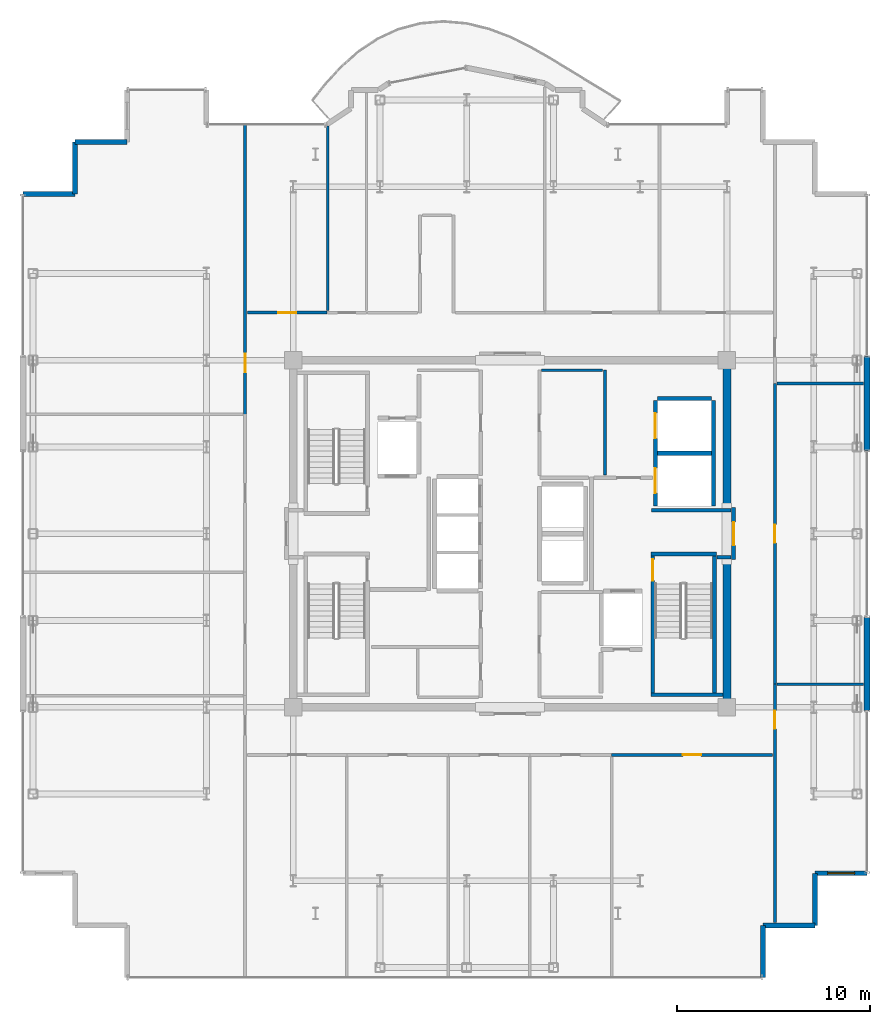
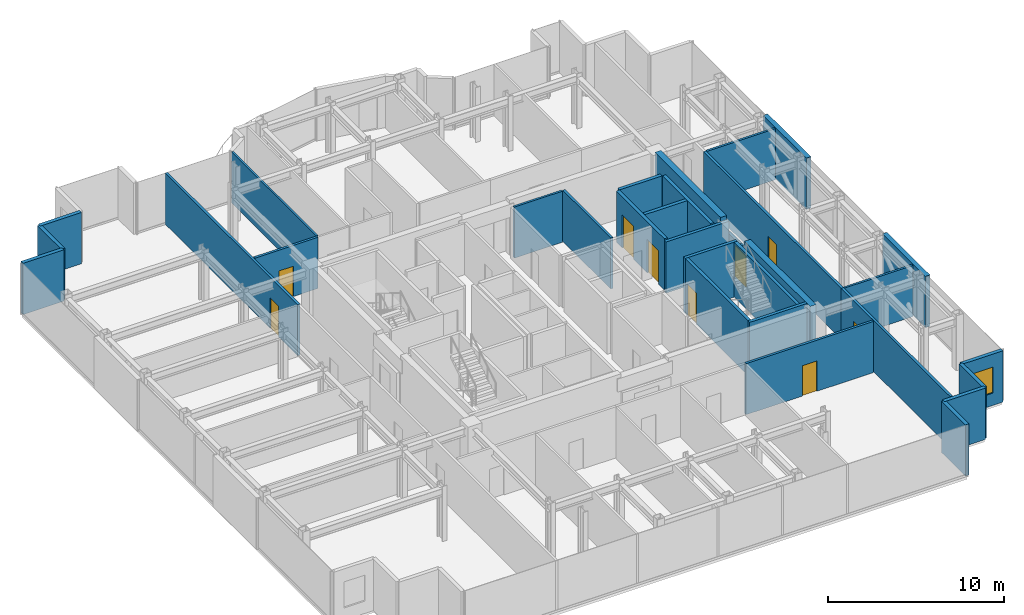
# One storey, part 13 of 16: 32 walls, 9 doors, 1 window, 10 openings.
"""IFC4 building model written with IfcOpenShell, lengths in metres."""

from ifc_helpers import new_model, si_unit, direction, frame, frame_2d, origin, place, context, subcontext, project, spatial, rectangle, extrude, source, transform, mapped, material, layer, layer_set, type_object, element, fill, save


model = new_model("IFC4")

# Units and contexts
model_context = context("Model", 3, precision=1e-05, world=origin(), true_north=direction((0.0, 1.0)))
body_context = subcontext(model_context, "Body", "Model", "MODEL_VIEW")
ifc_project = project(units=[si_unit("LENGTHUNIT", "METRE"), si_unit("AREAUNIT", "SQUARE_METRE"), si_unit("VOLUMEUNIT", "CUBIC_METRE"), si_unit("PLANEANGLEUNIT", "RADIAN"), si_unit("MASSUNIT", "GRAM", prefix="KILO")], contexts=[model_context])

# Site, building, storey
site_placement = place(None, origin())
site = spatial("IfcSite", under=ifc_project, at=site_placement, CompositionType="ELEMENT")
building_placement = place(site_placement, origin())
building = spatial("IfcBuilding", under=site, at=building_placement, Name="Nefas-Gora Pilgrimage Tower", CompositionType="ELEMENT")
storey_placement = place(building_placement, frame((0.0, 0.0, 322.39990234375)))
storey = spatial("IfcBuildingStorey", under=building, at=storey_placement, Name="L81", CompositionType="ELEMENT", Elevation=322.39990234375)

# Walls
ifc_material_1 = material(Name="Concrete C50/60", Category="concrete")
ifc_layer_1 = layer(ifc_material_1, 0.39990234375)
ifc_layer_set_1 = layer_set([ifc_layer_1], Name="Concrete C50/60")
wall_type_1 = type_object("IfcWallType", Name="SW-CORE-400", PredefinedType="SHEAR", material=ifc_layer_set_1)
shared_shape_1 = source(origin(), body_context, "Body", "SweptSolid", [
    extrude(rectangle(XDim=7.449951171875, YDim=0.39990234375, at=frame_2d((3.72509765625, 0.0))), origin(), (0.0, 0.0, 1.0), 3.800048828125),
])
for number, where, z_axis, x_axis, name in (
    (1, (11.25, -8.800048828125, 0.0), (0.0, 0.0, 1.0), (0.0, 1.0, 0.0), "L81 Core Shear Wall E-South"),
    (2, (11.25, 1.35009765625, 0.0), (0.0, 0.0, 1.0), (0.0, 1.0, 0.0), "L81 Core Shear Wall E-North"),
):
    element("IfcWall", number, at=place(storey_placement, frame(where, z_axis=z_axis, x_axis=x_axis)), inside=storey, type_object=wall_type_1, Name=name, PredefinedType="SHEAR", context=body_context, shape_type="MappedRepresentation", body=[
        mapped(shared_shape_1, transform((0.0, 0.0, 0.0), x_axis=(1.0, 0.0, 0.0), y_axis=(0.0, 1.0, 0.0), z_axis=(0.0, 0.0, 1.0), scale=1.0)),
    ])
ifc_material_2 = material(Name="Precast concrete C45/55", Category="concrete")
ifc_layer_2 = layer(ifc_material_2, 0.239990234375)
ifc_layer_set_2 = layer_set([ifc_layer_2], Name="Precast concrete C45/55")
wall_type_2 = type_object("IfcWallType", Name="EW-SERR-240", PredefinedType="SHEAR", material=ifc_layer_set_2)
shared_shape_2 = source(origin(), body_context, "Body", "SweptSolid", [
    extrude(rectangle(XDim=4.8798828125, YDim=0.300048828125, at=frame_2d((2.43994140625, 0.0))), origin(), (0.0, 0.0, 1.0), 3.550048828125),
])
for number, where, z_axis, x_axis, name in (
    (3, (18.52001953125, -9.18994140625, 0.0), (0.0, 0.0, 1.0), (0.0, 1.0, 0.0), "L81 Braced-Tube Precast Shear Cladding 3"),
    (4, (18.52001953125, 4.31005859375, 0.0), (0.0, 0.0, 1.0), (0.0, 1.0, 0.0), "L81 Braced-Tube Precast Shear Cladding 4"),
):
    element("IfcWall", number, at=place(storey_placement, frame(where, z_axis=z_axis, x_axis=x_axis)), inside=storey, type_object=wall_type_2, Name=name, PredefinedType="SHEAR", context=body_context, shape_type="MappedRepresentation", body=[
        mapped(shared_shape_2, transform((0.0, 0.0, 0.0), x_axis=(1.0, 0.0, 0.0), y_axis=(0.0, 1.0, 0.0), z_axis=(0.0, 0.0, 1.0), scale=1.0)),
    ])

# Wall, opening, window
shared_shape_3 = source(origin(), body_context, "Body", "SweptSolid", [
    extrude(rectangle(XDim=2.699951171875, YDim=0.239990234375, at=frame_2d((1.35009765625, 0.0))), origin(), (0.0, 0.0, 1.0), 3.550048828125),
])
wall_1_placement = place(storey_placement, frame((15.820068359375, -17.6201171875, 0.0), z_axis=(0.0, 0.0, 1.0), x_axis=(1.0, 0.0, 0.0)))
wall_1 = element("IfcWall", 5, at=wall_1_placement, inside=storey, type_object=wall_type_2, Name="L81 Serrated Corner Shear Pier Wall 5", PredefinedType="SHEAR", context=body_context, shape_type="MappedRepresentation", body=[
    mapped(shared_shape_3, transform((0.0, 0.0, 0.0), x_axis=(1.0, 0.0, 0.0), y_axis=(0.0, 1.0, 0.0), z_axis=(0.0, 0.0, 1.0), scale=1.0)),
])
opening_1_placement = place(wall_1_placement, frame((0.64990234375, 0.0, 0.85009765625)))
opening_1 = element("IfcOpeningElement", 6, at=opening_1_placement, cuts=wall_1, Name="Opening W-V2", PredefinedType="OPENING", context=body_context, shape_type="SweptSolid", body=[
    extrude(rectangle(XDim=1.39990234375, YDim=1.800048828125, at=frame_2d((0.699951171875, 0.89990234375))), frame((0.0, 0.1298828125, 0.0), z_axis=(0.0, -1.0, 0.0), x_axis=(1.0, 0.0, 0.0)), (0.0, 0.0, 1.0), 0.260009765625),
])
ifc_material_3 = material(Name="Dark ceramic-fritted operable aluminium-glass window", Category="aluminium")
window_type = type_object("IfcWindowType", Name="WIN-VENT-1400x1800", PartitioningType="SINGLE_PANEL", PredefinedType="WINDOW", material=ifc_material_3)
shared_shape_4 = source(origin(), body_context, "Body", "SweptSolid", [
    extrude(rectangle(XDim=1.39990234375, YDim=1.800048828125, at=frame_2d((0.699951171875, 0.89990234375))), frame((0.0, 0.030029296875, 0.0), z_axis=(0.0, -1.0, 0.0), x_axis=(1.0, 0.0, 0.0)), (0.0, 0.0, 1.0), 0.06005859375),
])
window_placement = place(opening_1_placement, origin())
window = element("IfcWindow", 7, at=window_placement, inside=storey, type_object=window_type, Name="L81 Operable Parallel-Outswing Window 5", OverallHeight=1.800048828125, OverallWidth=1.39990234375, PartitioningType="SINGLE_PANEL", PredefinedType="WINDOW", context=body_context, shape_type="MappedRepresentation", body=[
    mapped(shared_shape_4, transform((0.0, 0.0, 0.0), x_axis=(1.0, 0.0, 0.0), y_axis=(0.0, 1.0, 0.0), z_axis=(0.0, 0.0, 1.0), scale=1.0)),
])
fill(opening_1, window)

# Walls
for number, where, z_axis, x_axis, name in (
    (8, (-19.8701171875, 20.320068359375, 0.0), (0.0, 0.0, 1.0), (-1.0, 0.0, 0.0), "L81 Serrated Corner Shear Pier Wall 22"),
    (9, (-22.570068359375, 20.320068359375, 0.0), (0.0, 0.0, 1.0), (0.0, -1.0, 0.0), "L81 Serrated Corner Shear Pier Wall 23"),
    (10, (-22.570068359375, 17.6201171875, 0.0), (0.0, 0.0, 1.0), (-1.0, 0.0, 0.0), "L81 Serrated Corner Shear Pier Wall 24"),
    (11, (13.1201171875, -23.02001953125, 0.0), (0.0, 0.0, 1.0), (0.0, 1.0, 0.0), "L81 Serrated Corner Shear Pier Wall 29"),
    (12, (13.1201171875, -20.320068359375, 0.0), (0.0, 0.0, 1.0), (1.0, 0.0, 0.0), "L81 Serrated Corner Shear Pier Wall 30"),
    (13, (15.820068359375, -20.320068359375, 0.0), (0.0, 0.0, 1.0), (0.0, 1.0, 0.0), "L81 Serrated Corner Shear Pier Wall 31"),
):
    element("IfcWall", number, at=place(storey_placement, frame(where, z_axis=z_axis, x_axis=x_axis)), inside=storey, type_object=wall_type_2, Name=name, PredefinedType="SHEAR", context=body_context, shape_type="MappedRepresentation", body=[
        mapped(shared_shape_3, transform((0.0, 0.0, 0.0), x_axis=(1.0, 0.0, 0.0), y_axis=(0.0, 1.0, 0.0), z_axis=(0.0, 0.0, 1.0), scale=1.0)),
    ])
ifc_material_4 = material(Name="Concrete C45/55", Category="concrete")
ifc_layer_3 = layer(ifc_material_4, 0.199951171875)
ifc_layer_set_3 = layer_set([ifc_layer_3], Name="Concrete C45/55")
wall_type_3 = type_object("IfcWallType", Name="IW-STAIR-200", PredefinedType="SOLIDWALL", material=ifc_layer_set_3)
shared_shape_5 = source(origin(), body_context, "Body", "SweptSolid", [
    extrude(rectangle(XDim=3.39990234375, YDim=0.199951171875, at=frame_2d((1.699951171875, 0.0))), origin(), (0.0, 0.0, 1.0), 3.800048828125),
])
wall_2_placement = place(storey_placement, frame((7.300048828125, -1.050048828125, 0.0), z_axis=(0.0, 0.0, 1.0), x_axis=(1.0, 0.0, 0.0)))
element("IfcWall", 14, at=wall_2_placement, inside=storey, type_object=wall_type_3, Name="L81 Stairwell Shear Wall ST-02-near", PredefinedType="SOLIDWALL", context=body_context, shape_type="MappedRepresentation", body=[
    mapped(shared_shape_5, transform((0.0, 0.0, 0.0), x_axis=(1.0, 0.0, 0.0), y_axis=(0.0, 1.0, 0.0), z_axis=(0.0, 0.0, 1.0), scale=1.0)),
])

# Wall, opening, door
shared_shape_6 = source(origin(), body_context, "Body", "SweptSolid", [
    extrude(rectangle(XDim=7.10009765625, YDim=0.199951171875, at=frame_2d((3.550048828125, 0.0))), origin(), (0.0, 0.0, 1.0), 3.800048828125),
])
wall_3_placement = place(storey_placement, frame((7.39990234375, -1.14990234375, 0.0), z_axis=(0.0, 0.0, 1.0), x_axis=(0.0, -1.0, 0.0)))
wall_3 = element("IfcWall", 15, at=wall_3_placement, inside=storey, type_object=wall_type_3, Name="L81 Stairwell Shear Wall ST-02-left", PredefinedType="SOLIDWALL", context=body_context, shape_type="MappedRepresentation", body=[
    mapped(shared_shape_6, transform((0.0, 0.0, 0.0), x_axis=(1.0, 0.0, 0.0), y_axis=(0.0, 1.0, 0.0), z_axis=(0.0, 0.0, 1.0), scale=1.0)),
])
opening_2_placement = place(wall_3_placement, frame((0.179931640625, 0.0, 0.0)))
opening_2 = element("IfcOpeningElement", 16, at=opening_2_placement, cuts=wall_3, Name="Opening ID-ST1", PredefinedType="OPENING", context=body_context, shape_type="SweptSolid", body=[
    extrude(rectangle(XDim=1.10009765625, YDim=2.14990234375, at=frame_2d((0.550048828125, 1.074951171875))), frame((0.0, 0.10986328125, 0.0), z_axis=(0.0, -1.0, 0.0), x_axis=(1.0, 0.0, 0.0)), (0.0, 0.0, 1.0), 0.219970703125),
])
ifc_material_5 = material(Name="Painted galvanised steel fire stair door", Category="steel")
door_type_1 = type_object("IfcDoorType", Name="DR-INT-STAIR-1100", OperationType="NOTDEFINED", PredefinedType="DOOR", material=ifc_material_5)
shared_shape_7 = source(origin(), body_context, "Body", "SweptSolid", [
    extrude(rectangle(XDim=1.10009765625, YDim=2.14990234375, at=frame_2d((0.550048828125, 1.074951171875))), frame((0.0, 0.02490234375, 0.0), z_axis=(0.0, -1.0, 0.0), x_axis=(1.0, 0.0, 0.0)), (0.0, 0.0, 1.0), 0.050048828125),
])
door_1_placement = place(opening_2_placement, origin())
door_1 = element("IfcDoor", 17, at=door_1_placement, inside=storey, type_object=door_type_1, Name="L81 Protected Exit Stair Door ST-02", OperationType="SINGLE_SWING_RIGHT", OverallHeight=2.14990234375, OverallWidth=1.10009765625, PredefinedType="DOOR", context=body_context, shape_type="MappedRepresentation", body=[
    mapped(shared_shape_7, transform((0.0, 0.0, 0.0), x_axis=(1.0, 0.0, 0.0), y_axis=(0.0, 1.0, 0.0), z_axis=(0.0, 0.0, 1.0), scale=1.0)),
])
fill(opening_2, door_1)

# Walls
wall_4_placement = place(storey_placement, frame((10.60009765625, -1.14990234375, 0.0), z_axis=(0.0, 0.0, 1.0), x_axis=(0.0, -1.0, 0.0)))
element("IfcWall", 18, at=wall_4_placement, inside=storey, type_object=wall_type_3, Name="L81 Stairwell Shear Wall ST-02-right", PredefinedType="SOLIDWALL", context=body_context, shape_type="MappedRepresentation", body=[
    mapped(shared_shape_6, transform((0.0, 0.0, 0.0), x_axis=(1.0, 0.0, 0.0), y_axis=(0.0, 1.0, 0.0), z_axis=(0.0, 0.0, 1.0), scale=1.0)),
])
shared_shape_8 = source(origin(), body_context, "Body", "SweptSolid", [
    extrude(rectangle(XDim=3.7548828125, YDim=0.199951171875, at=frame_2d((1.87744140625, 0.0))), origin(), (0.0, 0.0, 1.0), 3.800048828125),
])
wall_5_placement = place(storey_placement, frame((7.300048828125, -8.35009765625, 0.0), z_axis=(0.0, 0.0, 1.0), x_axis=(1.0, 0.0, 0.0)))
element("IfcWall", 19, at=wall_5_placement, inside=storey, type_object=wall_type_3, Name="L81 Stairwell Shear Wall ST-02-far", PredefinedType="SOLIDWALL", context=body_context, shape_type="MappedRepresentation", body=[
    mapped(shared_shape_8, transform((0.0, 0.0, 0.0), x_axis=(1.0, 0.0, 0.0), y_axis=(0.0, 1.0, 0.0), z_axis=(0.0, 0.0, 1.0), scale=1.0)),
])

# Wall, openings, doors
ifc_material_6 = material(Name="Concrete C40/50", Category="concrete")
ifc_layer_4 = layer(ifc_material_6, 0.219970703125)
ifc_layer_set_4 = layer_set([ifc_layer_4], Name="Concrete C40/50")
wall_type_4 = type_object("IfcWallType", Name="IW-SHAFT-220", PredefinedType="SOLIDWALL", material=ifc_layer_set_4)
shared_shape_9 = source(origin(), body_context, "Body", "SweptSolid", [
    extrude(rectangle(XDim=5.449951171875, YDim=0.219970703125, at=frame_2d((2.72509765625, 0.0))), origin(), (0.0, 0.0, 1.0), 3.53515625),
])
wall_6_placement = place(storey_placement, frame((7.5400390625, 6.89990234375, 0.0), z_axis=(0.0, 0.0, 1.0), x_axis=(0.0, -1.0, 0.0)))
wall_6 = element("IfcWall", 20, at=wall_6_placement, inside=storey, type_object=wall_type_4, Name="L81 Hoistway Wall SL-01-02-W", PredefinedType="SOLIDWALL", context=body_context, shape_type="MappedRepresentation", body=[
    mapped(shared_shape_9, transform((0.0, 0.0, 0.0), x_axis=(1.0, 0.0, 0.0), y_axis=(0.0, 1.0, 0.0), z_axis=(0.0, 0.0, 1.0), scale=1.0)),
])
opening_3_placement = place(wall_6_placement, frame((3.5, 0.0, 0.0)))
opening_3 = element("IfcOpeningElement", 21, at=opening_3_placement, cuts=wall_6, Name="Opening LD-SV", PredefinedType="OPENING", context=body_context, shape_type="SweptSolid", body=[
    extrude(rectangle(XDim=1.300048828125, YDim=2.300048828125, at=frame_2d((0.64990234375, 1.14990234375))), frame((0.0, 0.119873046875, 0.0), z_axis=(0.0, -1.0, 0.0), x_axis=(1.0, 0.0, 0.0)), (0.0, 0.0, 1.0), 0.239990234375),
])
opening_4_placement = place(wall_6_placement, frame((0.64990234375, 0.0, 0.0)))
opening_4 = element("IfcOpeningElement", 22, at=opening_4_placement, cuts=wall_6, Name="Opening LD-SV", PredefinedType="OPENING", context=body_context, shape_type="SweptSolid", body=[
    extrude(rectangle(XDim=1.300048828125, YDim=2.300048828125, at=frame_2d((0.64990234375, 1.14990234375))), frame((0.0, 0.119873046875, 0.0), z_axis=(0.0, -1.0, 0.0), x_axis=(1.0, 0.0, 0.0)), (0.0, 0.0, 1.0), 0.239990234375),
])
ifc_material_7 = material(Name="Heavy goods sliding lift landing door")
door_type_2 = type_object("IfcDoorType", Name="DR-LIFT-SERV-1300", OperationType="SLIDING_TO_RIGHT", PredefinedType="DOOR", material=ifc_material_7)
shared_shape_10 = source(origin(), body_context, "Body", "SweptSolid", [
    extrude(rectangle(XDim=1.300048828125, YDim=2.300048828125, at=frame_2d((0.64990234375, 1.14990234375))), frame((0.0, 0.02490234375, 0.0), z_axis=(0.0, -1.0, 0.0), x_axis=(1.0, 0.0, 0.0)), (0.0, 0.0, 1.0), 0.050048828125),
])
door_2_placement = place(opening_3_placement, origin())
door_2 = element("IfcDoor", 23, at=door_2_placement, inside=storey, type_object=door_type_2, Name="L81 Sliding Lift Landing Door SL-01", OperationType="SLIDING_TO_RIGHT", OverallHeight=2.300048828125, OverallWidth=1.300048828125, PredefinedType="DOOR", context=body_context, shape_type="MappedRepresentation", body=[
    mapped(shared_shape_10, transform((0.0, 0.0, 0.0), x_axis=(1.0, 0.0, 0.0), y_axis=(0.0, 1.0, 0.0), z_axis=(0.0, 0.0, 1.0), scale=1.0)),
])
fill(opening_3, door_2)
door_3_placement = place(opening_4_placement, origin())
door_3 = element("IfcDoor", 24, at=door_3_placement, inside=storey, type_object=door_type_2, Name="L81 Sliding Lift Landing Door SL-02", OperationType="SLIDING_TO_RIGHT", OverallHeight=2.300048828125, OverallWidth=1.300048828125, PredefinedType="DOOR", context=body_context, shape_type="MappedRepresentation", body=[
    mapped(shared_shape_10, transform((0.0, 0.0, 0.0), x_axis=(1.0, 0.0, 0.0), y_axis=(0.0, 1.0, 0.0), z_axis=(0.0, 0.0, 1.0), scale=1.0)),
])
fill(opening_4, door_3)

# Walls
wall_7_placement = place(storey_placement, frame((10.56005859375, 1.449951171875, 0.0), z_axis=(0.0, 0.0, 1.0), x_axis=(0.0, 1.0, 0.0)))
element("IfcWall", 25, at=wall_7_placement, inside=storey, type_object=wall_type_4, Name="L81 Hoistway Wall SL-01-02-E", PredefinedType="SOLIDWALL", context=body_context, shape_type="MappedRepresentation", body=[
    mapped(shared_shape_9, transform((0.0, 0.0, 0.0), x_axis=(1.0, 0.0, 0.0), y_axis=(0.0, 1.0, 0.0), z_axis=(0.0, 0.0, 1.0), scale=1.0)),
])
shared_shape_11 = source(origin(), body_context, "Body", "SweptSolid", [
    extrude(rectangle(XDim=2.780029296875, YDim=0.219970703125, at=frame_2d((1.39013671875, 0.0))), origin(), (0.0, 0.0, 1.0), 3.53515625),
])
for number, where, z_axis, x_axis, name in (
    (26, (7.659912109375, 4.175048828125, 0.0), (0.0, 0.0, 1.0), (1.0, 0.0, 0.0), "L81 Hoistway Wall SL-01-02-DIV"),
    (27, (10.43994140625, 7.010009765625, 0.0), (0.0, 0.0, 1.0), (-1.0, 0.0, 0.0), "L81 Hoistway Wall SL-02-N"),
):
    element("IfcWall", number, at=place(storey_placement, frame(where, z_axis=z_axis, x_axis=x_axis)), inside=storey, type_object=wall_type_4, Name=name, PredefinedType="SOLIDWALL", context=body_context, shape_type="MappedRepresentation", body=[
        mapped(shared_shape_11, transform((0.0, 0.0, 0.0), x_axis=(1.0, 0.0, 0.0), y_axis=(0.0, 1.0, 0.0), z_axis=(0.0, 0.0, 1.0), scale=1.0)),
    ])
ifc_material_8 = material(Name="Gypsum fire-rated shaftwall")
ifc_layer_5 = layer(ifc_material_8, 0.199951171875)
ifc_layer_set_5 = layer_set([ifc_layer_5], Name="Gypsum fire-rated shaftwall")
wall_type_5 = type_object("IfcWallType", Name="IW-FFLOB-200", PredefinedType="PARTITIONING", material=ifc_layer_set_5)
shared_shape_12 = source(origin(), body_context, "Body", "SweptSolid", [
    extrude(rectangle(XDim=0.719970703125, YDim=0.199951171875, at=frame_2d((0.35986328125, 0.0))), origin(), (0.0, 0.0, 1.0), 3.53515625),
])
wall_8_placement = place(storey_placement, frame((10.739990234375, -1.219970703125, 0.0), z_axis=(0.0, 0.0, 1.0), x_axis=(1.0, 0.0, 0.0)))
element("IfcWall", 28, at=wall_8_placement, inside=storey, type_object=wall_type_5, Name="L81 FF Lobby East Throat S Wall 15", PredefinedType="PARTITIONING", context=body_context, shape_type="MappedRepresentation", body=[
    mapped(shared_shape_12, transform((0.0, 0.0, 0.0), x_axis=(1.0, 0.0, 0.0), y_axis=(0.0, 1.0, 0.0), z_axis=(0.0, 0.0, 1.0), scale=1.0)),
])
shared_shape_13 = source(origin(), body_context, "Body", "SweptSolid", [
    extrude(rectangle(XDim=4.10986328125, YDim=0.199951171875, at=frame_2d((2.054931640625, 0.0))), origin(), (0.0, 0.0, 1.0), 3.53515625),
])
wall_9_placement = place(storey_placement, frame((7.35009765625, 1.219970703125, 0.0), z_axis=(0.0, 0.0, 1.0), x_axis=(1.0, 0.0, 0.0)))
element("IfcWall", 29, at=wall_9_placement, inside=storey, type_object=wall_type_5, Name="L81 FF Lobby East Throat N Wall 14", PredefinedType="PARTITIONING", context=body_context, shape_type="MappedRepresentation", body=[
    mapped(shared_shape_13, transform((0.0, 0.0, 0.0), x_axis=(1.0, 0.0, 0.0), y_axis=(0.0, 1.0, 0.0), z_axis=(0.0, 0.0, 1.0), scale=1.0)),
])
ifc_material_9 = material(Name="Gypsum twin-stud partition")
ifc_layer_6 = layer(ifc_material_9, 0.139892578125)
ifc_layer_set_6 = layer_set([ifc_layer_6], Name="Gypsum twin-stud partition")
wall_type_6 = type_object("IfcWallType", Name="IW-UNIT-140", PredefinedType="PARTITIONING", material=ifc_layer_set_6)
shared_shape_14 = source(origin(), body_context, "Body", "SweptSolid", [
    extrude(rectangle(XDim=3.150146484375, YDim=0.139892578125, at=frame_2d((1.5751953125, 0.0))), origin(), (0.0, 0.0, 1.0), 3.53515625),
])
wall_10_placement = place(storey_placement, frame((1.639892578125, 8.47998046875, 0.0), z_axis=(0.0, 0.0, 1.0), x_axis=(1.0, 0.0, 0.0)))
element("IfcWall", 30, at=wall_10_placement, inside=storey, type_object=wall_type_6, Name="L81 Freed Bank-1 Amenity Supply Store Partition Wall 24", PredefinedType="PARTITIONING", context=body_context, shape_type="MappedRepresentation", body=[
    mapped(shared_shape_14, transform((0.0, 0.0, 0.0), x_axis=(1.0, 0.0, 0.0), y_axis=(0.0, 1.0, 0.0), z_axis=(0.0, 0.0, 1.0), scale=1.0)),
])
ifc_material_10 = material(Name="Moisture-resistant fire-rated gypsum partition")
ifc_layer_7 = layer(ifc_material_10, 0.1201171875)
ifc_layer_set_7 = layer_set([ifc_layer_7], Name="Moisture-resistant fire-rated gypsum partition")
wall_type_7 = type_object("IfcWallType", Name="IW-WET-120", PredefinedType="PLUMBINGWALL", material=ifc_layer_set_7)
shared_shape_15 = source(origin(), body_context, "Body", "SweptSolid", [
    extrude(rectangle(XDim=9.586669921875, YDim=0.1201171875, at=frame_2d((4.79345703125, 0.0))), origin(), (0.0, 0.0, 1.0), 3.53515625),
])
wall_11_placement = place(storey_placement, frame((-9.449951171875, 11.570068359375, 0.0), z_axis=(0.0, 0.0, 1.0), x_axis=(0.0, 1.0, 0.0)))
element("IfcWall", 31, at=wall_11_placement, inside=storey, type_object=wall_type_7, Name="L81 Accessible Unisex WC Partition Wall 32", PredefinedType="PLUMBINGWALL", context=body_context, shape_type="MappedRepresentation", body=[
    mapped(shared_shape_15, transform((0.0, 0.0, 0.0), x_axis=(1.0, 0.0, 0.0), y_axis=(0.0, 1.0, 0.0), z_axis=(0.0, 0.0, 1.0), scale=1.0)),
])

# Wall, opening, door
ifc_material_11 = material(Name="Gypsum acoustic stud partition")
ifc_layer_8 = layer(ifc_material_11, 0.159912109375)
ifc_layer_set_8 = layer_set([ifc_layer_8], Name="Gypsum acoustic stud partition")
wall_type_8 = type_object("IfcWallType", Name="IW-CORR-160", PredefinedType="PARTITIONING", material=ifc_layer_set_8)
shared_shape_16 = source(origin(), body_context, "Body", "SweptSolid", [
    extrude(rectangle(XDim=4.125, YDim=0.159912109375, at=frame_2d((2.0625, 0.0))), origin(), (0.0, 0.0, 1.0), 3.53515625),
])
wall_12_placement = place(storey_placement, frame((-13.6201171875, 11.469970703125, 0.0), z_axis=(0.0, 0.0, 1.0), x_axis=(1.0, 0.0, 0.0)))
wall_12 = element("IfcWall", 32, at=wall_12_placement, inside=storey, type_object=wall_type_8, Name="L81 Pilgrim Fellowship Seminar Room Partition Wall 45", PredefinedType="PARTITIONING", context=body_context, shape_type="MappedRepresentation", body=[
    mapped(shared_shape_16, transform((0.0, 0.0, 0.0), x_axis=(1.0, 0.0, 0.0), y_axis=(0.0, 1.0, 0.0), z_axis=(0.0, 0.0, 1.0), scale=1.0)),
])
opening_5_placement = place(wall_12_placement, frame((1.58740234375, 0.0, 0.0)))
opening_5 = element("IfcOpeningElement", 33, at=opening_5_placement, cuts=wall_12, Name="Opening ID-GR1", PredefinedType="OPENING", context=body_context, shape_type="SweptSolid", body=[
    extrude(rectangle(XDim=0.949951171875, YDim=2.10009765625, at=frame_2d((0.47509765625, 1.050048828125))), frame((0.0, 0.08984375, 0.0), z_axis=(0.0, -1.0, 0.0), x_axis=(1.0, 0.0, 0.0)), (0.0, 0.0, 1.0), 0.179931640625),
])
ifc_material_12 = material(Name="Solid core oak fire-rated guest entrance door")
door_type_3 = type_object("IfcDoorType", Name="DR-INT-GUEST-950", OperationType="NOTDEFINED", PredefinedType="DOOR", material=ifc_material_12)
shared_shape_17 = source(origin(), body_context, "Body", "SweptSolid", [
    extrude(rectangle(XDim=0.949951171875, YDim=2.10009765625, at=frame_2d((0.47509765625, 1.050048828125))), frame((0.0, 0.02490234375, 0.0), z_axis=(0.0, -1.0, 0.0), x_axis=(1.0, 0.0, 0.0)), (0.0, 0.0, 1.0), 0.050048828125),
])
door_4_placement = place(opening_5_placement, origin())
door_4 = element("IfcDoor", 34, at=door_4_placement, inside=storey, type_object=door_type_3, Name="L81 Pilgrim Fellowship Seminar Room Door 21", OperationType="SINGLE_SWING_RIGHT", OverallHeight=2.10009765625, OverallWidth=0.949951171875, PredefinedType="DOOR", context=body_context, shape_type="MappedRepresentation", body=[
    mapped(shared_shape_17, transform((0.0, 0.0, 0.0), x_axis=(1.0, 0.0, 0.0), y_axis=(0.0, 1.0, 0.0), z_axis=(0.0, 0.0, 1.0), scale=1.0)),
])
fill(opening_5, door_4)

# Wall
shared_shape_18 = source(origin(), body_context, "Body", "SweptSolid", [
    extrude(rectangle(XDim=5.449951171875, YDim=0.159912109375, at=frame_2d((2.72509765625, 0.0))), origin(), (0.0, 0.0, 1.0), 3.53515625),
])
wall_13_placement = place(storey_placement, frame((4.919921875, 3.0400390625, 0.0), z_axis=(0.0, 0.0, 1.0), x_axis=(0.0, 1.0, 0.0)))
element("IfcWall", 35, at=wall_13_placement, inside=storey, type_object=wall_type_8, Name="L81 Service Lift Lobby West Wall Wall 18", PredefinedType="PARTITIONING", context=body_context, shape_type="MappedRepresentation", body=[
    mapped(shared_shape_18, transform((0.0, 0.0, 0.0), x_axis=(1.0, 0.0, 0.0), y_axis=(0.0, 1.0, 0.0), z_axis=(0.0, 0.0, 1.0), scale=1.0)),
])

# Wall, opening, door
shared_shape_19 = source(origin(), body_context, "Body", "SweptSolid", [
    extrude(rectangle(XDim=2.7001953125, YDim=0.199951171875, at=frame_2d((1.35009765625, 0.0))), origin(), (0.0, 0.0, 1.0), 2.625),
])
wall_14_placement = place(storey_placement, frame((11.60009765625, -1.35009765625, 0.0), z_axis=(0.0, 0.0, 1.0), x_axis=(0.0, 1.0, 0.0)))
wall_14 = element("IfcWall", 36, at=wall_14_placement, inside=storey, type_object=wall_type_5, Name="L81 FF Lobby East Portal Wall 10", PredefinedType="PARTITIONING", context=body_context, shape_type="MappedRepresentation", body=[
    mapped(shared_shape_19, transform((0.0, 0.0, 0.0), x_axis=(1.0, 0.0, 0.0), y_axis=(0.0, 1.0, 0.0), z_axis=(0.0, 0.0, 1.0), scale=1.0)),
])
opening_6_placement = place(wall_14_placement, frame((0.75, 0.0, 0.0)))
opening_6 = element("IfcOpeningElement", 37, at=opening_6_placement, cuts=wall_14, Name="Opening ID-FF1", PredefinedType="OPENING", context=body_context, shape_type="SweptSolid", body=[
    extrude(rectangle(XDim=1.199951171875, YDim=2.14990234375, at=frame_2d((0.60009765625, 1.074951171875))), frame((0.0, 0.10986328125, 0.0), z_axis=(0.0, -1.0, 0.0), x_axis=(1.0, 0.0, 0.0)), (0.0, 0.0, 1.0), 0.219970703125),
])
ifc_material_13 = material(Name="Smoke-sealed steel firefighting lobby door", Category="steel")
door_type_4 = type_object("IfcDoorType", Name="DR-INT-FFLOB-1200", OperationType="NOTDEFINED", PredefinedType="DOOR", material=ifc_material_13)
shared_shape_20 = source(origin(), body_context, "Body", "SweptSolid", [
    extrude(rectangle(XDim=1.199951171875, YDim=2.14990234375, at=frame_2d((0.60009765625, 1.074951171875))), frame((0.0, 0.02490234375, 0.0), z_axis=(0.0, -1.0, 0.0), x_axis=(1.0, 0.0, 0.0)), (0.0, 0.0, 1.0), 0.050048828125),
])
door_5_placement = place(opening_6_placement, origin())
door_5 = element("IfcDoor", 38, at=door_5_placement, inside=storey, type_object=door_type_4, Name="L81 FF Lobby East Portal Door 4", OperationType="SINGLE_SWING_LEFT", OverallHeight=2.14990234375, OverallWidth=1.199951171875, PredefinedType="DOOR", context=body_context, shape_type="MappedRepresentation", body=[
    mapped(shared_shape_20, transform((0.0, 0.0, 0.0), x_axis=(1.0, 0.0, 0.0), y_axis=(0.0, 1.0, 0.0), z_axis=(0.0, 0.0, 1.0), scale=1.0)),
])
fill(opening_6, door_5)

# Walls
shared_shape_21 = source(origin(), body_context, "Body", "SweptSolid", [
    extrude(rectangle(XDim=4.469970703125, YDim=0.139892578125, at=frame_2d((2.23486328125, 0.0))), origin(), (0.0, 0.0, 1.0), 3.53515625),
])
for number, where, z_axis, x_axis, name in (
    (39, (13.860107421875, -7.804931640625, 0.0), (0.0, 0.0, 1.0), (1.0, 0.0, 0.0), "L81 Pilgrim Fellowship Seminar Room Partition Wall 41"),
    (40, (13.860107421875, 7.794921875, 0.0), (0.0, 0.0, 1.0), (1.0, 0.0, 0.0), "L81 Pilgrim Fellowship Seminar Room Partition Wall 43"),
):
    element("IfcWall", number, at=place(storey_placement, frame(where, z_axis=z_axis, x_axis=x_axis)), inside=storey, type_object=wall_type_6, Name=name, PredefinedType="PARTITIONING", context=body_context, shape_type="MappedRepresentation", body=[
        mapped(shared_shape_21, transform((0.0, 0.0, 0.0), x_axis=(1.0, 0.0, 0.0), y_axis=(0.0, 1.0, 0.0), z_axis=(0.0, 0.0, 1.0), scale=1.0)),
    ])

# Wall, opening, door
shared_shape_22 = source(origin(), body_context, "Body", "SweptSolid", [
    extrude(rectangle(XDim=15.044921875, YDim=0.159912109375, at=frame_2d((7.5224609375, 0.0))), origin(), (0.0, 0.0, 1.0), 3.53515625),
])
wall_15_placement = place(storey_placement, frame((-13.739990234375, 6.195068359375, 0.0), z_axis=(0.0, 0.0, 1.0), x_axis=(0.0, 1.0, 0.0)))
wall_15 = element("IfcWall", 41, at=wall_15_placement, inside=storey, type_object=wall_type_8, Name="L81 Pilgrim Tea and Beverage Pantry Partition Wall 39", PredefinedType="PARTITIONING", context=body_context, shape_type="MappedRepresentation", body=[
    mapped(shared_shape_22, transform((0.0, 0.0, 0.0), x_axis=(1.0, 0.0, 0.0), y_axis=(0.0, 1.0, 0.0), z_axis=(0.0, 0.0, 1.0), scale=1.0)),
])
opening_7_placement = place(wall_15_placement, frame((2.1826171875, 0.0, 0.0)))
opening_7 = element("IfcOpeningElement", 42, at=opening_7_placement, cuts=wall_15, Name="Opening ID-GR1", PredefinedType="OPENING", context=body_context, shape_type="SweptSolid", body=[
    extrude(rectangle(XDim=0.949951171875, YDim=2.10009765625, at=frame_2d((0.47509765625, 1.050048828125))), frame((0.0, 0.08984375, 0.0), z_axis=(0.0, -1.0, 0.0), x_axis=(1.0, 0.0, 0.0)), (0.0, 0.0, 1.0), 0.179931640625),
])
door_6_placement = place(opening_7_placement, origin())
door_6 = element("IfcDoor", 43, at=door_6_placement, inside=storey, type_object=door_type_3, Name="L81 Pilgrim Tea and Beverage Pantry Door 17", OperationType="SINGLE_SWING_RIGHT", OverallHeight=2.10009765625, OverallWidth=0.949951171875, PredefinedType="DOOR", context=body_context, shape_type="MappedRepresentation", body=[
    mapped(shared_shape_17, transform((0.0, 0.0, 0.0), x_axis=(1.0, 0.0, 0.0), y_axis=(0.0, 1.0, 0.0), z_axis=(0.0, 0.0, 1.0), scale=1.0)),
])
fill(opening_7, door_6)

shared_shape_23 = source(origin(), body_context, "Body", "SweptSolid", [
    extrude(rectangle(XDim=12.364990234375, YDim=0.159912109375, at=frame_2d((6.1826171875, 0.0))), origin(), (0.0, 0.0, 1.0), 3.53515625),
])
wall_16_placement = place(storey_placement, frame((13.739990234375, -20.159912109375, 0.0), z_axis=(0.0, 0.0, 1.0), x_axis=(0.0, 1.0, 0.0)))
wall_16 = element("IfcWall", 44, at=wall_16_placement, inside=storey, type_object=wall_type_8, Name="L81 Pilgrim Fellowship Seminar Room Partition Wall 40", PredefinedType="PARTITIONING", context=body_context, shape_type="MappedRepresentation", body=[
    mapped(shared_shape_23, transform((0.0, 0.0, 0.0), x_axis=(1.0, 0.0, 0.0), y_axis=(0.0, 1.0, 0.0), z_axis=(0.0, 0.0, 1.0), scale=1.0)),
])
opening_8_placement = place(wall_16_placement, frame((10.032470703125, 0.0, 0.0)))
opening_8 = element("IfcOpeningElement", 45, at=opening_8_placement, cuts=wall_16, Name="Opening ID-GR1", PredefinedType="OPENING", context=body_context, shape_type="SweptSolid", body=[
    extrude(rectangle(XDim=0.949951171875, YDim=2.10009765625, at=frame_2d((0.47509765625, 1.050048828125))), frame((0.0, 0.08984375, 0.0), z_axis=(0.0, -1.0, 0.0), x_axis=(1.0, 0.0, 0.0)), (0.0, 0.0, 1.0), 0.179931640625),
])
door_7_placement = place(opening_8_placement, origin())
door_7 = element("IfcDoor", 46, at=door_7_placement, inside=storey, type_object=door_type_3, Name="L81 Pilgrim Fellowship Seminar Room Door 18", OperationType="SINGLE_SWING_LEFT", OverallHeight=2.10009765625, OverallWidth=0.949951171875, PredefinedType="DOOR", context=body_context, shape_type="MappedRepresentation", body=[
    mapped(shared_shape_17, transform((0.0, 0.0, 0.0), x_axis=(1.0, 0.0, 0.0), y_axis=(0.0, 1.0, 0.0), z_axis=(0.0, 0.0, 1.0), scale=1.0)),
])
fill(opening_8, door_7)

shared_shape_24 = source(origin(), body_context, "Body", "SweptSolid", [
    extrude(rectangle(XDim=15.60986328125, YDim=0.159912109375, at=frame_2d((7.804931640625, 0.0))), origin(), (0.0, 0.0, 1.0), 3.53515625),
])
wall_17_placement = place(storey_placement, frame((13.739990234375, -7.804931640625, 0.0), z_axis=(0.0, 0.0, 1.0), x_axis=(0.0, 1.0, 0.0)))
wall_17 = element("IfcWall", 47, at=wall_17_placement, inside=storey, type_object=wall_type_8, Name="L81 Pilgrim Fellowship Seminar Room Partition Wall 42", PredefinedType="PARTITIONING", context=body_context, shape_type="MappedRepresentation", body=[
    mapped(shared_shape_24, transform((0.0, 0.0, 0.0), x_axis=(1.0, 0.0, 0.0), y_axis=(0.0, 1.0, 0.0), z_axis=(0.0, 0.0, 1.0), scale=1.0)),
])
opening_9_placement = place(wall_17_placement, frame((7.330078125, 0.0, 0.0)))
opening_9 = element("IfcOpeningElement", 48, at=opening_9_placement, cuts=wall_17, Name="Opening ID-GR1", PredefinedType="OPENING", context=body_context, shape_type="SweptSolid", body=[
    extrude(rectangle(XDim=0.949951171875, YDim=2.10009765625, at=frame_2d((0.47509765625, 1.050048828125))), frame((0.0, 0.08984375, 0.0), z_axis=(0.0, -1.0, 0.0), x_axis=(1.0, 0.0, 0.0)), (0.0, 0.0, 1.0), 0.179931640625),
])
door_8_placement = place(opening_9_placement, origin())
door_8 = element("IfcDoor", 49, at=door_8_placement, inside=storey, type_object=door_type_3, Name="L81 Pilgrim Fellowship Seminar Room Door 19", OperationType="SINGLE_SWING_RIGHT", OverallHeight=2.10009765625, OverallWidth=0.949951171875, PredefinedType="DOOR", context=body_context, shape_type="MappedRepresentation", body=[
    mapped(shared_shape_17, transform((0.0, 0.0, 0.0), x_axis=(1.0, 0.0, 0.0), y_axis=(0.0, 1.0, 0.0), z_axis=(0.0, 0.0, 1.0), scale=1.0)),
])
fill(opening_9, door_8)

shared_shape_25 = source(origin(), body_context, "Body", "SweptSolid", [
    extrude(rectangle(XDim=8.360107421875, YDim=0.159912109375, at=frame_2d((4.18017578125, 0.0))), origin(), (0.0, 0.0, 1.0), 3.53515625),
])
wall_18_placement = place(storey_placement, frame((5.260009765625, -11.469970703125, 0.0), z_axis=(0.0, 0.0, 1.0), x_axis=(1.0, 0.0, 0.0)))
wall_18 = element("IfcWall", 50, at=wall_18_placement, inside=storey, type_object=wall_type_8, Name="L81 Pilgrim Contemplative Lounge Partition Wall 59", PredefinedType="PARTITIONING", context=body_context, shape_type="MappedRepresentation", body=[
    mapped(shared_shape_25, transform((0.0, 0.0, 0.0), x_axis=(1.0, 0.0, 0.0), y_axis=(0.0, 1.0, 0.0), z_axis=(0.0, 0.0, 1.0), scale=1.0)),
])
opening_10_placement = place(wall_18_placement, frame((3.705078125, 0.0, 0.0)))
opening_10 = element("IfcOpeningElement", 51, at=opening_10_placement, cuts=wall_18, Name="Opening ID-GR1", PredefinedType="OPENING", context=body_context, shape_type="SweptSolid", body=[
    extrude(rectangle(XDim=0.949951171875, YDim=2.10009765625, at=frame_2d((0.47509765625, 1.050048828125))), frame((0.0, 0.08984375, 0.0), z_axis=(0.0, -1.0, 0.0), x_axis=(1.0, 0.0, 0.0)), (0.0, 0.0, 1.0), 0.179931640625),
])
door_9_placement = place(opening_10_placement, origin())
door_9 = element("IfcDoor", 52, at=door_9_placement, inside=storey, type_object=door_type_3, Name="L81 Pilgrim Contemplative Lounge Door 27", OperationType="SINGLE_SWING_RIGHT", OverallHeight=2.10009765625, OverallWidth=0.949951171875, PredefinedType="DOOR", context=body_context, shape_type="MappedRepresentation", body=[
    mapped(shared_shape_17, transform((0.0, 0.0, 0.0), x_axis=(1.0, 0.0, 0.0), y_axis=(0.0, 1.0, 0.0), z_axis=(0.0, 0.0, 1.0), scale=1.0)),
])
fill(opening_10, door_9)

save(model, "model.ifc")
